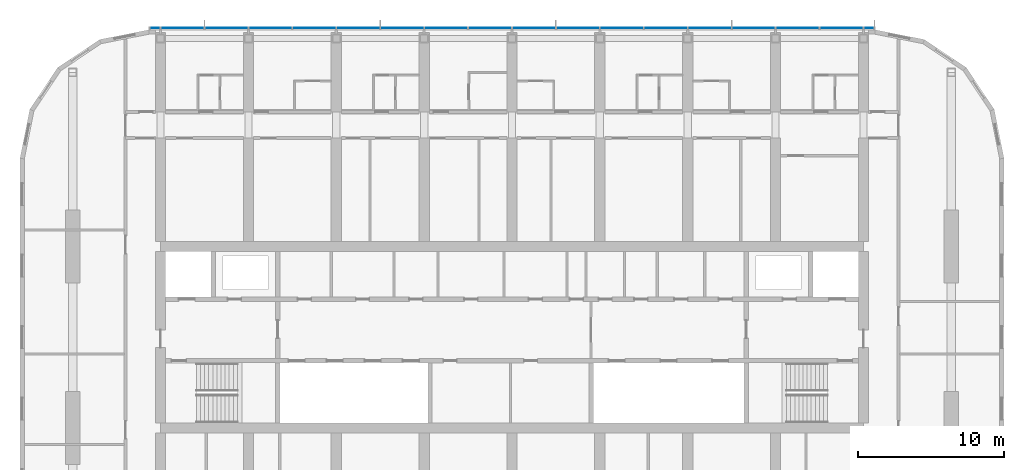
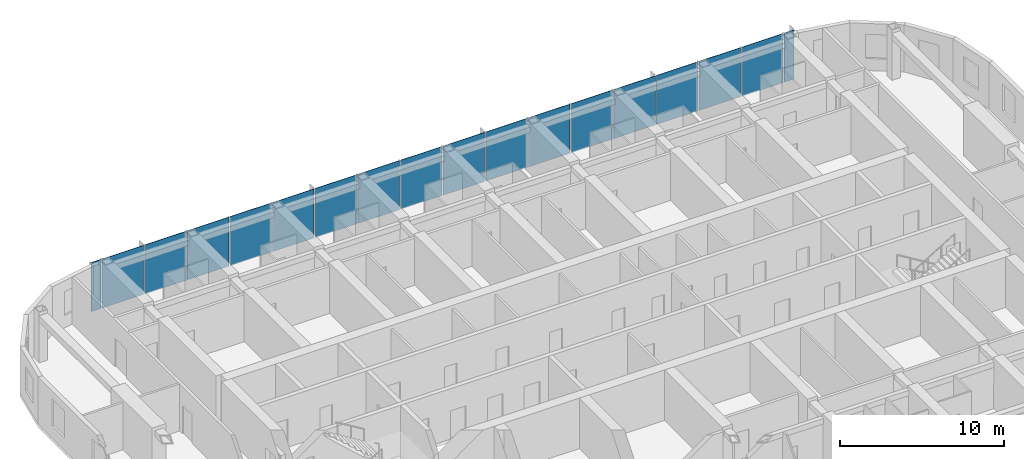
# One storey, part 9 of 23: 18 plates, 1 element without a shape of its own.
"""IFC4 building model written with IfcOpenShell, lengths in metres."""

from ifc_helpers import new_model, si_unit, direction, frame, origin, origin_2d, place, context, subcontext, project, spatial, rectangle, extrude, material, layer, layer_set, type_object, element, aggregate, save


model = new_model("IFC4")

# Units and contexts
model_context = context("Model", 3, precision=1e-05, world=origin(), true_north=direction((0.0, 1.0)))
body_context = subcontext(model_context, "Body", "Model", "MODEL_VIEW")
ifc_project = project(units=[si_unit("LENGTHUNIT", "METRE"), si_unit("AREAUNIT", "SQUARE_METRE"), si_unit("VOLUMEUNIT", "CUBIC_METRE"), si_unit("PLANEANGLEUNIT", "RADIAN"), si_unit("MASSUNIT", "GRAM", prefix="KILO")], contexts=[model_context])

# Site, building, storey
site_placement = place(None, origin())
site = spatial("IfcSite", under=ifc_project, at=site_placement, CompositionType="ELEMENT")
building_placement = place(site_placement, origin())
building = spatial("IfcBuilding", under=site, at=building_placement, Name="Orbita Commons", CompositionType="ELEMENT")
storey_placement = place(building_placement, frame((0.0, 0.0, 224.050048828125)))
storey = spatial("IfcBuildingStorey", under=building, at=storey_placement, Name="L55", CompositionType="ELEMENT", Elevation=224.050048828125)

# Curtain wall, plates
ifc_material_1 = material(Name="Anodised aluminium frame, pale silver", Category="aluminium")
curtain_wall_type = type_object("IfcCurtainWallType", Name="Unitised curtain wall CW-U, full-height vision", PredefinedType="NOTDEFINED", material=ifc_material_1)
curtain_wall_placement = place(storey_placement, origin())
curtain_wall = element("IfcCurtainWall", 1, at=curtain_wall_placement, inside=storey, type_object=curtain_wall_type, Name="Curtain wall north L55", PredefinedType="NOTDEFINED")
ifc_material_2 = material(Name="Clear double glazing", Category="glass")
ifc_layer = layer(ifc_material_2, 0.031982421875)
ifc_layer_set = layer_set([ifc_layer], Name="Clear double glazing")
plate_type = type_object("IfcPlateType", Name="Full-height vision panel, clear glazing 32", PredefinedType="CURTAIN_PANEL", material=ifc_layer_set)
plate_1_placement = place(storey_placement, frame((66.3798828125, 53.110107421875, -0.14990234375), z_axis=(0.0, 0.0, 1.0), x_axis=(-1.0, 0.0, 0.0)))
plate_1 = element("IfcPlate", 2, at=plate_1_placement, type_object=plate_type, Name="Panel 1.1 CW-L55-N", PredefinedType="CURTAIN_PANEL", context=body_context, shape_type="SweptSolid", body=[
    extrude(rectangle(XDim=0.679931640625, YDim=0.031982421875, at=origin_2d()), origin(), (0.0, 0.0, 1.0), 3.64990234375),
])
plate_2_placement = place(storey_placement, frame((64.5, 53.110107421875, -0.14990234375), z_axis=(0.0, 0.0, 1.0), x_axis=(-1.0, 0.0, 0.0)))
plate_2 = element("IfcPlate", 3, at=plate_2_placement, type_object=plate_type, Name="Panel 2.1 CW-L55-N", PredefinedType="CURTAIN_PANEL", context=body_context, shape_type="SweptSolid", body=[
    extrude(rectangle(XDim=2.919921875, YDim=0.031982421875, at=origin_2d()), origin(), (0.0, 0.0, 1.0), 3.64990234375),
])
plate_3_placement = place(storey_placement, frame((61.5, 53.110107421875, -0.14990234375), z_axis=(0.0, 0.0, 1.0), x_axis=(-1.0, 0.0, 0.0)))
plate_3 = element("IfcPlate", 4, at=plate_3_placement, type_object=plate_type, Name="Panel 3.1 CW-L55-N", PredefinedType="CURTAIN_PANEL", context=body_context, shape_type="SweptSolid", body=[
    extrude(rectangle(XDim=2.919921875, YDim=0.031982421875, at=origin_2d()), origin(), (0.0, 0.0, 1.0), 3.64990234375),
])
plate_4_placement = place(storey_placement, frame((58.5, 53.110107421875, -0.14990234375), z_axis=(0.0, 0.0, 1.0), x_axis=(-1.0, 0.0, 0.0)))
plate_4 = element("IfcPlate", 5, at=plate_4_placement, type_object=plate_type, Name="Panel 4.1 CW-L55-N", PredefinedType="CURTAIN_PANEL", context=body_context, shape_type="SweptSolid", body=[
    extrude(rectangle(XDim=2.919921875, YDim=0.031982421875, at=origin_2d()), origin(), (0.0, 0.0, 1.0), 3.64990234375),
])
plate_5_placement = place(storey_placement, frame((55.5, 53.110107421875, -0.14990234375), z_axis=(0.0, 0.0, 1.0), x_axis=(-1.0, 0.0, 0.0)))
plate_5 = element("IfcPlate", 6, at=plate_5_placement, type_object=plate_type, Name="Panel 5.1 CW-L55-N", PredefinedType="CURTAIN_PANEL", context=body_context, shape_type="SweptSolid", body=[
    extrude(rectangle(XDim=2.919921875, YDim=0.031982421875, at=origin_2d()), origin(), (0.0, 0.0, 1.0), 3.64990234375),
])
plate_6_placement = place(storey_placement, frame((52.5, 53.110107421875, -0.14990234375), z_axis=(0.0, 0.0, 1.0), x_axis=(-1.0, 0.0, 0.0)))
plate_6 = element("IfcPlate", 7, at=plate_6_placement, type_object=plate_type, Name="Panel 6.1 CW-L55-N", PredefinedType="CURTAIN_PANEL", context=body_context, shape_type="SweptSolid", body=[
    extrude(rectangle(XDim=2.919921875, YDim=0.031982421875, at=origin_2d()), origin(), (0.0, 0.0, 1.0), 3.64990234375),
])
plate_7_placement = place(storey_placement, frame((49.5, 53.110107421875, -0.14990234375), z_axis=(0.0, 0.0, 1.0), x_axis=(-1.0, 0.0, 0.0)))
plate_7 = element("IfcPlate", 8, at=plate_7_placement, type_object=plate_type, Name="Panel 7.1 CW-L55-N", PredefinedType="CURTAIN_PANEL", context=body_context, shape_type="SweptSolid", body=[
    extrude(rectangle(XDim=2.919921875, YDim=0.031982421875, at=origin_2d()), origin(), (0.0, 0.0, 1.0), 3.64990234375),
])
plate_8_placement = place(storey_placement, frame((46.5, 53.110107421875, -0.14990234375), z_axis=(0.0, 0.0, 1.0), x_axis=(-1.0, 0.0, 0.0)))
plate_8 = element("IfcPlate", 9, at=plate_8_placement, type_object=plate_type, Name="Panel 8.1 CW-L55-N", PredefinedType="CURTAIN_PANEL", context=body_context, shape_type="SweptSolid", body=[
    extrude(rectangle(XDim=2.919921875, YDim=0.031982421875, at=origin_2d()), origin(), (0.0, 0.0, 1.0), 3.64990234375),
])
plate_9_placement = place(storey_placement, frame((43.5, 53.110107421875, -0.14990234375), z_axis=(0.0, 0.0, 1.0), x_axis=(-1.0, 0.0, 0.0)))
plate_9 = element("IfcPlate", 10, at=plate_9_placement, type_object=plate_type, Name="Panel 9.1 CW-L55-N", PredefinedType="CURTAIN_PANEL", context=body_context, shape_type="SweptSolid", body=[
    extrude(rectangle(XDim=2.919921875, YDim=0.031982421875, at=origin_2d()), origin(), (0.0, 0.0, 1.0), 3.64990234375),
])
plate_10_placement = place(storey_placement, frame((40.5, 53.110107421875, -0.14990234375), z_axis=(0.0, 0.0, 1.0), x_axis=(-1.0, 0.0, 0.0)))
plate_10 = element("IfcPlate", 11, at=plate_10_placement, type_object=plate_type, Name="Panel 10.1 CW-L55-N", PredefinedType="CURTAIN_PANEL", context=body_context, shape_type="SweptSolid", body=[
    extrude(rectangle(XDim=2.919921875, YDim=0.031982421875, at=origin_2d()), origin(), (0.0, 0.0, 1.0), 3.64990234375),
])
plate_11_placement = place(storey_placement, frame((37.5, 53.110107421875, -0.14990234375), z_axis=(0.0, 0.0, 1.0), x_axis=(-1.0, 0.0, 0.0)))
plate_11 = element("IfcPlate", 12, at=plate_11_placement, type_object=plate_type, Name="Panel 11.1 CW-L55-N", PredefinedType="CURTAIN_PANEL", context=body_context, shape_type="SweptSolid", body=[
    extrude(rectangle(XDim=2.919921875, YDim=0.031982421875, at=origin_2d()), origin(), (0.0, 0.0, 1.0), 3.64990234375),
])
plate_12_placement = place(storey_placement, frame((34.5, 53.110107421875, -0.14990234375), z_axis=(0.0, 0.0, 1.0), x_axis=(-1.0, 0.0, 0.0)))
plate_12 = element("IfcPlate", 13, at=plate_12_placement, type_object=plate_type, Name="Panel 12.1 CW-L55-N", PredefinedType="CURTAIN_PANEL", context=body_context, shape_type="SweptSolid", body=[
    extrude(rectangle(XDim=2.919921875, YDim=0.031982421875, at=origin_2d()), origin(), (0.0, 0.0, 1.0), 3.64990234375),
])
plate_13_placement = place(storey_placement, frame((31.5, 53.110107421875, -0.14990234375), z_axis=(0.0, 0.0, 1.0), x_axis=(-1.0, 0.0, 0.0)))
plate_13 = element("IfcPlate", 14, at=plate_13_placement, type_object=plate_type, Name="Panel 13.1 CW-L55-N", PredefinedType="CURTAIN_PANEL", context=body_context, shape_type="SweptSolid", body=[
    extrude(rectangle(XDim=2.919921875, YDim=0.031982421875, at=origin_2d()), origin(), (0.0, 0.0, 1.0), 3.64990234375),
])
plate_14_placement = place(storey_placement, frame((28.5, 53.110107421875, -0.14990234375), z_axis=(0.0, 0.0, 1.0), x_axis=(-1.0, 0.0, 0.0)))
plate_14 = element("IfcPlate", 15, at=plate_14_placement, type_object=plate_type, Name="Panel 14.1 CW-L55-N", PredefinedType="CURTAIN_PANEL", context=body_context, shape_type="SweptSolid", body=[
    extrude(rectangle(XDim=2.919921875, YDim=0.031982421875, at=origin_2d()), origin(), (0.0, 0.0, 1.0), 3.64990234375),
])
plate_15_placement = place(storey_placement, frame((25.5, 53.110107421875, -0.14990234375), z_axis=(0.0, 0.0, 1.0), x_axis=(-1.0, 0.0, 0.0)))
plate_15 = element("IfcPlate", 16, at=plate_15_placement, type_object=plate_type, Name="Panel 15.1 CW-L55-N", PredefinedType="CURTAIN_PANEL", context=body_context, shape_type="SweptSolid", body=[
    extrude(rectangle(XDim=2.919921875, YDim=0.031982421875, at=origin_2d()), origin(), (0.0, 0.0, 1.0), 3.64990234375),
])
plate_16_placement = place(storey_placement, frame((22.5, 53.110107421875, -0.14990234375), z_axis=(0.0, 0.0, 1.0), x_axis=(-1.0, 0.0, 0.0)))
plate_16 = element("IfcPlate", 17, at=plate_16_placement, type_object=plate_type, Name="Panel 16.1 CW-L55-N", PredefinedType="CURTAIN_PANEL", context=body_context, shape_type="SweptSolid", body=[
    extrude(rectangle(XDim=2.919921875, YDim=0.031982421875, at=origin_2d()), origin(), (0.0, 0.0, 1.0), 3.64990234375),
])
plate_17_placement = place(storey_placement, frame((19.5, 53.110107421875, -0.14990234375), z_axis=(0.0, 0.0, 1.0), x_axis=(-1.0, 0.0, 0.0)))
plate_17 = element("IfcPlate", 18, at=plate_17_placement, type_object=plate_type, Name="Panel 17.1 CW-L55-N", PredefinedType="CURTAIN_PANEL", context=body_context, shape_type="SweptSolid", body=[
    extrude(rectangle(XDim=2.919921875, YDim=0.031982421875, at=origin_2d()), origin(), (0.0, 0.0, 1.0), 3.64990234375),
])
plate_18_placement = place(storey_placement, frame((17.6201171875, 53.110107421875, -0.14990234375), z_axis=(0.0, 0.0, 1.0), x_axis=(-1.0, 0.0, 0.0)))
plate_18 = element("IfcPlate", 19, at=plate_18_placement, type_object=plate_type, Name="Panel 18.1 CW-L55-N", PredefinedType="CURTAIN_PANEL", context=body_context, shape_type="SweptSolid", body=[
    extrude(rectangle(XDim=0.679931640625, YDim=0.031982421875, at=origin_2d()), origin(), (0.0, 0.0, 1.0), 3.64990234375),
])
aggregate(curtain_wall, [plate_1, plate_2, plate_3, plate_4, plate_5, plate_6, plate_7, plate_8, plate_9, plate_10, plate_11, plate_12, plate_13, plate_14, plate_15, plate_16, plate_17, plate_18])

save(model, "model.ifc")
